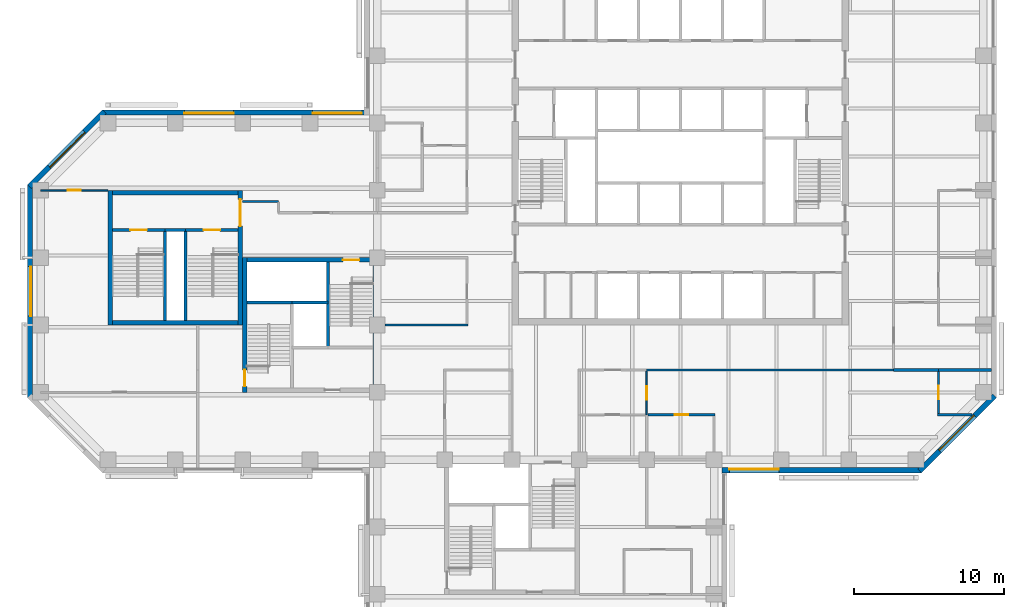
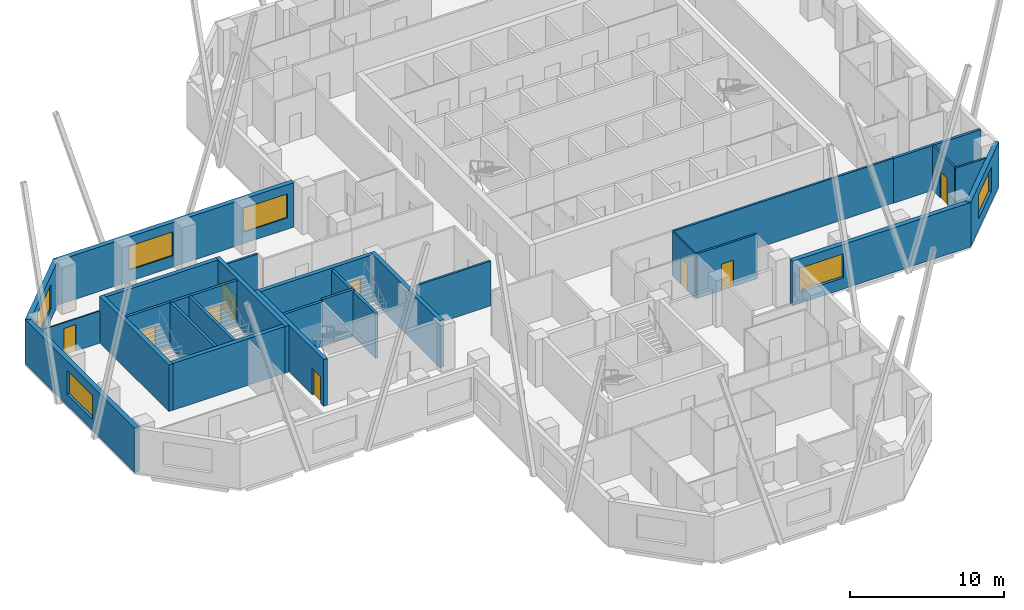
# One storey, part 5 of 11: 30 walls, 9 doors, 6 windows, 15 openings.
"""IFC4 building model written with IfcOpenShell, lengths in metres."""

import ifcopenshell
import ifcopenshell.guid

model = None  # the IFC model being written
_history = None  # IfcOwnerHistory: only IFC2X3 demands one
_inside = {}  # id of a spatial element -> (the spatial element, [elements in it])
_under = {}  # id of a project, library or spatial element -> (it, [spatial elements below it])
_declared = {}  # id of a project -> (the project, [libraries it declares])
_typed = {}  # id of a type object -> (the type object, [elements of that type])
_made_of = {}  # id of a material, layer set ... -> (it, [elements and type objects made of it])


def new_model(schema):
    """Start an empty IFC model of exactly this schema.

    Asked for "IFC4X3", IfcOpenShell would pick the latest addendum, in which some entities
    have other attributes; the version numbers below select the first issue.
    IFC2X3 requires an IfcOwnerHistory on every rooted entity: one is made here for all.
    """
    global model, _history
    if schema == "IFC4X3":
        model = ifcopenshell.file(schema_version=(4, 3, 0, 0))
    else:
        model = ifcopenshell.file(schema=schema)
    _inside.clear()
    _under.clear()
    _declared.clear()
    _typed.clear()
    _made_of.clear()
    _history = None
    if model.schema == "IFC2X3":
        org = make("IfcOrganization", Name="unknown")
        user = make(
            "IfcPersonAndOrganization",
            ThePerson=make("IfcPerson", FamilyName="unknown"),
            TheOrganization=org,
        )
        app = make(
            "IfcApplication",
            ApplicationDeveloper=org,
            Version="unknown",
            ApplicationFullName="unknown",
            ApplicationIdentifier="unknown",
        )
        _history = make(
            "IfcOwnerHistory",
            OwningUser=user,
            OwningApplication=app,
            ChangeAction="ADDED",
            CreationDate=0,
        )
    return model


def make(cls, **values):
    """One entity of the class cls with the attributes given. An attribute that is None is left unset."""
    return model.create_entity(
        cls, **{name: value for name, value in values.items() if value is not None}
    )


def rooted(cls, **values):
    """An entity with a GlobalId (a new one), such as an element, a storey or a relation."""
    return make(cls, GlobalId=ifcopenshell.guid.new(), OwnerHistory=_history, **values)


def si_unit(unit_type, name, prefix=None):
    """IfcSIUnit, for example si_unit("LENGTHUNIT", "METRE", prefix="MILLI")."""
    return make("IfcSIUnit", UnitType=unit_type, Prefix=prefix, Name=name)


def assignment(units):
    """IfcUnitAssignment: the units of a project."""
    return None if units is None else make("IfcUnitAssignment", Units=units)


def point(xyz):
    """IfcCartesianPoint."""
    return None if xyz is None else make("IfcCartesianPoint", Coordinates=xyz)


def direction(xyz):
    """IfcDirection."""
    return None if xyz is None else make("IfcDirection", DirectionRatios=xyz)


def frame(location, z_axis=None, x_axis=None):
    """IfcAxis2Placement3D, a coordinate frame: its origin and axes. An axis left out is left unset."""
    return make(
        "IfcAxis2Placement3D",
        Location=point(location),
        Axis=direction(z_axis),
        RefDirection=direction(x_axis),
    )


def frame_2d(location, x_axis=None):
    """IfcAxis2Placement2D, a coordinate frame in the plane: its origin and x axis."""
    return make(
        "IfcAxis2Placement2D", Location=point(location), RefDirection=direction(x_axis)
    )


def origin():
    """The frame at (0, 0, 0) with its axes left unset."""
    return frame((0.0, 0.0, 0.0))


def place(relative_to, where):
    """IfcLocalPlacement: puts the frame where relative to a parent placement (None: the world)."""
    return make(
        "IfcLocalPlacement", PlacementRelTo=relative_to, RelativePlacement=where
    )


def context(
    kind, dimensions, precision=None, world=None, true_north=None, identifier=None
):
    """IfcGeometricRepresentationContext, for example the 3D "Model" context."""
    return make(
        "IfcGeometricRepresentationContext",
        ContextIdentifier=identifier,
        ContextType=kind,
        CoordinateSpaceDimension=dimensions,
        Precision=precision,
        WorldCoordinateSystem=world,
        TrueNorth=true_north,
    )


def subcontext(parent, identifier, kind, view, scale=None):
    """IfcGeometricRepresentationSubContext, for example "Body" below "Model"."""
    return make(
        "IfcGeometricRepresentationSubContext",
        ContextIdentifier=identifier,
        ContextType=kind,
        ParentContext=parent,
        TargetScale=scale,
        TargetView=view,
    )


def project(units=None, contexts=None):
    """IfcProject with its units and contexts."""
    return rooted(
        "IfcProject",
        Name="project",
        RepresentationContexts=contexts,
        UnitsInContext=assignment(units),
    )


def spatial(cls, under=None, at=None, **own):
    """A site, building, storey or space (cls), placed at a placement, below another one or the project."""
    s = rooted(cls, ObjectPlacement=at, **own)
    if under is not None:
        _under.setdefault(under.id(), (under, []))[1].append(s)
    return s


def profile(cls, at=None, kind="AREA", **sizes):
    """A parametric profile (cls). Its sizes go by their IFC names, for example OverallWidth=200.0."""
    return make(cls, ProfileType=kind, Position=at, **sizes)


def rectangle(**sizes):
    """IfcRectangleProfileDef."""
    return profile("IfcRectangleProfileDef", **sizes)


def extrude(swept, where, along, depth):
    """IfcExtrudedAreaSolid: the profile swept, set in the frame where, extruded along a direction by depth."""
    return make(
        "IfcExtrudedAreaSolid",
        SweptArea=swept,
        Position=where,
        ExtrudedDirection=direction(along),
        Depth=depth,
    )


def shape(context_of_items, identifier, shape_type, items):
    """IfcShapeRepresentation: the items that make up one representation, for example the "Body"."""
    return make(
        "IfcShapeRepresentation",
        ContextOfItems=context_of_items,
        RepresentationIdentifier=identifier,
        RepresentationType=shape_type,
        Items=items,
    )


def material(Name=None, Category=None):
    """IfcMaterial."""
    return make("IfcMaterial", Name=Name, Category=Category)


def layer(
    of_material, thickness, ventilated=None, Name=None, Category=None, Priority=None
):
    """IfcMaterialLayer: one layer of a wall or slab, of a material (None: an air gap)."""
    return make(
        "IfcMaterialLayer",
        Material=of_material,
        LayerThickness=thickness,
        IsVentilated=ventilated,
        Name=Name,
        Category=Category,
        Priority=Priority,
    )


def layer_set(layers, Name=None):
    """IfcMaterialLayerSet."""
    return make("IfcMaterialLayerSet", MaterialLayers=layers, LayerSetName=Name)


def constituent(of_material, Name=None, Category=None, fraction=None):
    """IfcMaterialConstituent: one of the materials an element consists of."""
    return make(
        "IfcMaterialConstituent",
        Name=Name,
        Material=of_material,
        Fraction=fraction,
        Category=Category,
    )


def constituent_set(constituents=None, Name=None):
    """IfcMaterialConstituentSet."""
    return make(
        "IfcMaterialConstituentSet", Name=Name, MaterialConstituents=constituents
    )


def made_of(thing, what):
    """Note that an element or type object is made of a material, layer set ...; save() writes the relation."""
    if what is not None:
        _made_of.setdefault(what.id(), (what, []))[1].append(thing)
    return thing


def type_object(cls, material=None, **own):
    """A type object (cls), such as IfcWallType, which elements share."""
    return made_of(rooted(cls, **own), material)


def element(
    cls,
    number,
    at=None,
    inside=None,
    cuts=None,
    type_object=None,
    material=None,
    context=None,
    identifier="Body",
    shape_type=None,
    held_by="IfcProductDefinitionShape",
    body=None,
    shapes=None,
    **own,
):
    """One element of the class cls, such as IfcWall. Its Tag is "e" and its number.

    at: its placement. inside: the storey or other place that contains it. cuts: it is an
    opening in that element (IfcRelVoidsElement). A single representation is given by context,
    identifier, shape_type and body (its items); several are given by shapes. held_by: the class
    of the entity that holds the representations. save() writes the other relations.
    """
    e = rooted(cls, Tag="e%d" % number, ObjectPlacement=at, **own)
    if body is not None:
        shapes = [shape(context, identifier, shape_type, body)]
    if shapes is not None:
        e.Representation = make(held_by, Representations=shapes)
    if inside is not None:
        _inside.setdefault(inside.id(), (inside, []))[1].append(e)
    if cuts is not None:
        rooted(
            "IfcRelVoidsElement", RelatingBuildingElement=cuts, RelatedOpeningElement=e
        )
    if type_object is not None:
        _typed.setdefault(type_object.id(), (type_object, []))[1].append(e)
    return made_of(e, material)


def fill(opening, filler):
    """IfcRelFillsElement: the door or window that sits in an opening."""
    return rooted(
        "IfcRelFillsElement",
        RelatingOpeningElement=opening,
        RelatedBuildingElement=filler,
    )


def aggregate(whole, parts):
    """IfcRelAggregates: a whole, such as a stair, and the parts it consists of."""
    return rooted("IfcRelAggregates", RelatingObject=whole, RelatedObjects=parts)


def save(model, path):
    """Write the relations noted so far, then the file.

    IfcRelAggregates (storeys below a building ...), IfcRelContainedInSpatialStructure (elements
    in a storey), IfcRelDefinesByType, IfcRelAssociatesMaterial and IfcRelDeclares: one each for
    every whole, place, type object, material and project.
    """
    for whole, parts in _under.values():
        aggregate(whole, parts)
    for where, things in _inside.values():
        rooted(
            "IfcRelContainedInSpatialStructure",
            RelatedElements=things,
            RelatingStructure=where,
        )
    for kind, things in _typed.values():
        rooted("IfcRelDefinesByType", RelatedObjects=things, RelatingType=kind)
    for what, things in _made_of.values():
        rooted("IfcRelAssociatesMaterial", RelatedObjects=things, RelatingMaterial=what)
    for by, libraries in _declared.values():
        rooted("IfcRelDeclares", RelatingContext=by, RelatedDefinitions=libraries)
    model.write(path)


model = new_model("IFC4")

# Units and contexts
model_context = context("Model", 3, precision=1e-05, world=origin(), true_north=direction((0.0, 1.0)))
body_context = subcontext(model_context, "Body", "Model", "MODEL_VIEW")
ifc_project = project(units=[si_unit("LENGTHUNIT", "METRE"), si_unit("AREAUNIT", "SQUARE_METRE"), si_unit("VOLUMEUNIT", "CUBIC_METRE"), si_unit("PLANEANGLEUNIT", "RADIAN"), si_unit("MASSUNIT", "GRAM", prefix="KILO")], contexts=[model_context])

# Site, building, storey
site_placement = place(None, origin())
site = spatial("IfcSite", under=ifc_project, at=site_placement, CompositionType="ELEMENT")
building_placement = place(site_placement, origin())
building = spatial("IfcBuilding", under=site, at=building_placement, Name="Quoin Convention Tower", CompositionType="ELEMENT")
storey_placement = place(building_placement, frame((0.0, 0.0, 82.60009765625)))
storey = spatial("IfcBuildingStorey", under=building, at=storey_placement, Name="L21", CompositionType="ELEMENT", Elevation=82.60009765625)

# Wall, opening, door
ifc_material_1 = material(Name="Plasterboard")
ifc_layer_1 = layer(ifc_material_1, 0.012451171875, Name="Finish")
ifc_material_2 = material(Name="Steel stud framing", Category="steel")
ifc_layer_2 = layer(ifc_material_2, 0.125, Name="Structure")
ifc_layer_3 = layer(ifc_material_1, 0.012451171875, Name="Finish")
ifc_layer_set_1 = layer_set([ifc_layer_1, ifc_layer_2, ifc_layer_3], Name="Steel stud framing")
wall_type_1 = type_object("IfcWallType", Name="Acoustic partition 150", PredefinedType="PARTITIONING", material=ifc_layer_set_1)
wall_1_placement = place(storey_placement, frame((54.074951171875, 43.5, 0.0), z_axis=(0.0, 0.0, 1.0), x_axis=(1.0, 0.0, 0.0)))
wall_1 = element("IfcWall", 1, at=wall_1_placement, inside=storey, type_object=wall_type_1, Name="pw-L21-019", PredefinedType="PARTITIONING", context=body_context, shape_type="SweptSolid", body=[
    extrude(rectangle(XDim=4.5, YDim=0.14990234375, at=frame_2d((2.25, 0.0))), origin(), (0.0, 0.0, 1.0), 3.5498046875),
])
opening_1_placement = place(wall_1_placement, frame((1.800048828125, 0.0, 0.0)))
opening_1 = element("IfcOpeningElement", 2, at=opening_1_placement, cuts=wall_1, Name="Opening DOL1-10", PredefinedType="OPENING", context=body_context, shape_type="SweptSolid", body=[
    extrude(rectangle(XDim=0.89990234375, YDim=2.10009765625, at=frame_2d((0.449951171875, 1.050048828125))), frame((0.0, 0.0849609375, 0.0), z_axis=(0.0, -1.0, 0.0), x_axis=(1.0, 0.0, 0.0)), (0.0, 0.0, 1.0), 0.169921875),
])
ifc_material_3 = material(Name="Steel door leaf", Category="steel")
door_type_1 = type_object("IfcDoorType", Name="Office door 900 x 2100", OperationType="SINGLE_SWING_RIGHT", PredefinedType="DOOR", material=ifc_material_3)
door_1_placement = place(opening_1_placement, origin())
door_1 = element("IfcDoor", 3, at=door_1_placement, inside=storey, type_object=door_type_1, Name="dr-L21-27", OperationType="SINGLE_SWING_RIGHT", OverallHeight=2.10009765625, OverallWidth=0.89990234375, PredefinedType="DOOR", context=body_context, shape_type="SweptSolid", body=[
    extrude(rectangle(XDim=0.89990234375, YDim=2.10009765625, at=frame_2d((0.449951171875, 1.050048828125))), frame((0.0, 0.02490234375, 0.0), z_axis=(0.0, -1.0, 0.0), x_axis=(1.0, 0.0, 0.0)), (0.0, 0.0, 1.0), 0.050048828125),
])
fill(opening_1, door_1)

# Wall, opening, window
ifc_material_4 = material(Name="Brick masonry", Category="masonry")
ifc_layer_4 = layer(ifc_material_4, 0.35009765625)
ifc_layer_set_2 = layer_set([ifc_layer_4], Name="Brick masonry")
wall_type_2 = type_object("IfcWallType", Name="Brick facade wall", PredefinedType="STANDARD", material=ifc_layer_set_2)
wall_2_placement = place(storey_placement, frame((59.02490234375, 39.800048828125, 0.0), z_axis=(0.0, 0.0, 1.0), x_axis=(1.0, 0.0, 0.0)))
wall_2 = element("IfcWall", 4, at=wall_2_placement, inside=storey, type_object=wall_type_2, Name="fw-L21-58500_40500", PredefinedType="STANDARD", context=body_context, shape_type="SweptSolid", body=[
    extrude(rectangle(XDim=13.33740234375, YDim=0.35009765625, at=frame_2d((6.668701171875, 0.0))), origin(), (0.0, 0.0, 1.0), 3.52490234375),
])
opening_2_placement = place(wall_2_placement, frame((0.5, 0.0, 0.89990234375)))
opening_2 = element("IfcOpeningElement", 5, at=opening_2_placement, cuts=wall_2, Name="Opening W-02", PredefinedType="OPENING", context=body_context, shape_type="SweptSolid", body=[
    extrude(rectangle(XDim=3.300048828125, YDim=1.89990234375, at=frame_2d((1.64990234375, 0.949951171875))), frame((0.0, 0.18505859375, 0.0), z_axis=(0.0, -1.0, 0.0), x_axis=(1.0, 0.0, 0.0)), (0.0, 0.0, 1.0), 0.3701171875),
])
ifc_material_5 = material(Name="Aluminium", Category="aluminium")
ifc_constituent_1 = constituent(ifc_material_5, Name="Frame")
ifc_material_6 = material(Name="Insulated glass", Category="glass")
ifc_constituent_2 = constituent(ifc_material_6, Name="Glazing")
ifc_constituent_set = constituent_set(constituents=[ifc_constituent_1, ifc_constituent_2], Name="Aluminium")
window_type = type_object("IfcWindowType", Name="Office window", PartitioningType="DOUBLE_PANEL_VERTICAL", PredefinedType="WINDOW", material=ifc_constituent_set)
window_1_placement = place(opening_2_placement, origin())
window_1 = element("IfcWindow", 6, at=window_1_placement, inside=storey, type_object=window_type, Name="win-L21-60750_39800", OverallHeight=1.89990234375, OverallWidth=3.300048828125, PartitioningType="SINGLE_PANEL", PredefinedType="WINDOW", context=body_context, shape_type="SweptSolid", body=[
    extrude(rectangle(XDim=3.300048828125, YDim=1.89990234375, at=frame_2d((1.64990234375, 0.949951171875))), frame((0.0, 0.0849609375, 0.0), z_axis=(0.0, -1.0, 0.0), x_axis=(1.0, 0.0, 0.0)), (0.0, 0.0, 1.0), 0.06005859375),
])
fill(opening_2, window_1)

wall_3_placement = place(storey_placement, frame((72.23876953125, 39.748779296875, 0.0), z_axis=(0.0, 0.0, 1.0), x_axis=(0.707106781187, 0.707106781187, 0.0)))
wall_3 = element("IfcWall", 7, at=wall_3_placement, inside=storey, type_object=wall_type_2, Name="fw-L21-72000_40500", PredefinedType="STANDARD", context=body_context, shape_type="SweptSolid", body=[
    extrude(rectangle(XDim=7.088623046875, YDim=0.35009765625, at=frame_2d((3.54443359375, 0.0))), origin(), (0.0, 0.0, 1.0), 3.52490234375),
])
opening_3_placement = place(wall_3_placement, frame((1.894287109375, 0.0, 0.89990234375)))
opening_3 = element("IfcOpeningElement", 8, at=opening_3_placement, cuts=wall_3, Name="Opening W-02", PredefinedType="OPENING", context=body_context, shape_type="SweptSolid", body=[
    extrude(rectangle(XDim=3.300048828125, YDim=1.89990234375, at=frame_2d((1.64990234375, 0.949951171875))), frame((0.0, 0.18505859375, 0.0), z_axis=(0.0, -1.0, 0.0), x_axis=(1.0, 0.0, 0.0)), (0.0, 0.0, 1.0), 0.3701171875),
])
window_2_placement = place(opening_3_placement, origin())
window_2 = element("IfcWindow", 9, at=window_2_placement, inside=storey, type_object=window_type, Name="win-L21-74745_42255", OverallHeight=1.89990234375, OverallWidth=3.300048828125, PartitioningType="SINGLE_PANEL", PredefinedType="WINDOW", context=body_context, shape_type="SweptSolid", body=[
    extrude(rectangle(XDim=3.300048828125, YDim=1.89990234375, at=frame_2d((1.64990234375, 0.949951171875))), frame((0.0, 0.0849609375, 0.0), z_axis=(0.0, -1.0, 0.0), x_axis=(1.0, 0.0, 0.0)), (0.0, 0.0, 1.0), 0.06005859375),
])
fill(opening_3, window_2)

# Wall, openings, windows
wall_4_placement = place(storey_placement, frame((35.47509765625, 63.699951171875, 0.0), z_axis=(0.0, 0.0, 1.0), x_axis=(-1.0, 0.0, 0.0)))
wall_4 = element("IfcWall", 10, at=wall_4_placement, inside=storey, type_object=wall_type_2, Name="fw-L21-36000_63000", PredefinedType="STANDARD", context=body_context, shape_type="SweptSolid", body=[
    extrude(rectangle(XDim=17.83740234375, YDim=0.35009765625, at=frame_2d((8.918701171875, 0.0))), origin(), (0.0, 0.0, 1.0), 3.52490234375),
])
opening_4_placement = place(wall_4_placement, frame((0.5, 0.0, 0.89990234375)))
opening_4 = element("IfcOpeningElement", 11, at=opening_4_placement, cuts=wall_4, Name="Opening W-02", PredefinedType="OPENING", context=body_context, shape_type="SweptSolid", body=[
    extrude(rectangle(XDim=3.300048828125, YDim=1.89990234375, at=frame_2d((1.64990234375, 0.949951171875))), frame((0.0, 0.18505859375, 0.0), z_axis=(0.0, -1.0, 0.0), x_axis=(1.0, 0.0, 0.0)), (0.0, 0.0, 1.0), 0.3701171875),
])
opening_5_placement = place(wall_4_placement, frame((9.074951171875, 0.0, 0.89990234375)))
opening_5 = element("IfcOpeningElement", 12, at=opening_5_placement, cuts=wall_4, Name="Opening W-02", PredefinedType="OPENING", context=body_context, shape_type="SweptSolid", body=[
    extrude(rectangle(XDim=3.300048828125, YDim=1.89990234375, at=frame_2d((1.64990234375, 0.949951171875))), frame((0.0, 0.18505859375, 0.0), z_axis=(0.0, -1.0, 0.0), x_axis=(1.0, 0.0, 0.0)), (0.0, 0.0, 1.0), 0.3701171875),
])
window_3_placement = place(opening_4_placement, origin())
window_3 = element("IfcWindow", 13, at=window_3_placement, inside=storey, type_object=window_type, Name="win-L21-33750_63700", OverallHeight=1.89990234375, OverallWidth=3.300048828125, PartitioningType="SINGLE_PANEL", PredefinedType="WINDOW", context=body_context, shape_type="SweptSolid", body=[
    extrude(rectangle(XDim=3.300048828125, YDim=1.89990234375, at=frame_2d((1.64990234375, 0.949951171875))), frame((0.0, 0.0849609375, 0.0), z_axis=(0.0, -1.0, 0.0), x_axis=(1.0, 0.0, 0.0)), (0.0, 0.0, 1.0), 0.06005859375),
])
fill(opening_4, window_3)
window_4_placement = place(opening_5_placement, origin())
window_4 = element("IfcWindow", 14, at=window_4_placement, inside=storey, type_object=window_type, Name="win-L21-24750_63700", OverallHeight=1.89990234375, OverallWidth=3.300048828125, PartitioningType="SINGLE_PANEL", PredefinedType="WINDOW", context=body_context, shape_type="SweptSolid", body=[
    extrude(rectangle(XDim=3.300048828125, YDim=1.89990234375, at=frame_2d((1.64990234375, 0.949951171875))), frame((0.0, 0.0849609375, 0.0), z_axis=(0.0, -1.0, 0.0), x_axis=(1.0, 0.0, 0.0)), (0.0, 0.0, 1.0), 0.06005859375),
])
fill(opening_5, window_4)

# Wall, opening, window
wall_5_placement = place(storey_placement, frame((17.76123046875, 63.751220703125, 0.0), z_axis=(0.0, 0.0, 1.0), x_axis=(-0.707106781187, -0.707106781187, 0.0)))
wall_5 = element("IfcWall", 15, at=wall_5_placement, inside=storey, type_object=wall_type_2, Name="fw-L21-18000_63000", PredefinedType="STANDARD", context=body_context, shape_type="SweptSolid", body=[
    extrude(rectangle(XDim=7.088623046875, YDim=0.35009765625, at=frame_2d((3.54443359375, 0.0))), origin(), (0.0, 0.0, 1.0), 3.52490234375),
])
opening_6_placement = place(wall_5_placement, frame((1.894287109375, 0.0, 0.89990234375)))
opening_6 = element("IfcOpeningElement", 16, at=opening_6_placement, cuts=wall_5, Name="Opening W-02", PredefinedType="OPENING", context=body_context, shape_type="SweptSolid", body=[
    extrude(rectangle(XDim=3.300048828125, YDim=1.89990234375, at=frame_2d((1.64990234375, 0.949951171875))), frame((0.0, 0.18505859375, 0.0), z_axis=(0.0, -1.0, 0.0), x_axis=(1.0, 0.0, 0.0)), (0.0, 0.0, 1.0), 0.3701171875),
])
window_5_placement = place(opening_6_placement, origin())
window_5 = element("IfcWindow", 17, at=window_5_placement, inside=storey, type_object=window_type, Name="win-L21-15255_61245", OverallHeight=1.89990234375, OverallWidth=3.300048828125, PartitioningType="SINGLE_PANEL", PredefinedType="WINDOW", context=body_context, shape_type="SweptSolid", body=[
    extrude(rectangle(XDim=3.300048828125, YDim=1.89990234375, at=frame_2d((1.64990234375, 0.949951171875))), frame((0.0, 0.0849609375, 0.0), z_axis=(0.0, -1.0, 0.0), x_axis=(1.0, 0.0, 0.0)), (0.0, 0.0, 1.0), 0.06005859375),
])
fill(opening_6, window_5)

wall_6_placement = place(storey_placement, frame((12.800048828125, 58.8623046875, 0.0), z_axis=(0.0, 0.0, 1.0), x_axis=(0.0, -1.0, 0.0)))
wall_6 = element("IfcWall", 18, at=wall_6_placement, inside=storey, type_object=wall_type_2, Name="fw-L21-13500_58500", PredefinedType="STANDARD", context=body_context, shape_type="SweptSolid", body=[
    extrude(rectangle(XDim=14.224609375, YDim=0.35009765625, at=frame_2d((7.1123046875, 0.0))), origin(), (0.0, 0.0, 1.0), 3.52490234375),
])
opening_7_placement = place(wall_6_placement, frame((5.46240234375, 0.0, 0.89990234375)))
opening_7 = element("IfcOpeningElement", 19, at=opening_7_placement, cuts=wall_6, Name="Opening W-02", PredefinedType="OPENING", context=body_context, shape_type="SweptSolid", body=[
    extrude(rectangle(XDim=3.300048828125, YDim=1.89990234375, at=frame_2d((1.64990234375, 0.949951171875))), frame((0.0, 0.18505859375, 0.0), z_axis=(0.0, -1.0, 0.0), x_axis=(1.0, 0.0, 0.0)), (0.0, 0.0, 1.0), 0.3701171875),
])
window_6_placement = place(opening_7_placement, origin())
window_6 = element("IfcWindow", 20, at=window_6_placement, inside=storey, type_object=window_type, Name="win-L21-12800_51750", OverallHeight=1.89990234375, OverallWidth=3.300048828125, PartitioningType="SINGLE_PANEL", PredefinedType="WINDOW", context=body_context, shape_type="SweptSolid", body=[
    extrude(rectangle(XDim=3.300048828125, YDim=1.89990234375, at=frame_2d((1.64990234375, 0.949951171875))), frame((0.0, 0.0849609375, 0.0), z_axis=(0.0, -1.0, 0.0), x_axis=(1.0, 0.0, 0.0)), (0.0, 0.0, 1.0), 0.06005859375),
])
fill(opening_7, window_6)

# Walls
ifc_material_7 = material(Name="Concrete C50", Category="concrete")
ifc_layer_5 = layer(ifc_material_7, 0.199951171875)
ifc_layer_set_3 = layer_set([ifc_layer_5], Name="Concrete C50")
wall_type_3 = type_object("IfcWallType", Name="Core shaft wall", PredefinedType="SOLIDWALL", material=ifc_layer_set_3)
wall_7_placement = place(storey_placement, frame((27.300048828125, 51.0, 0.0), z_axis=(0.0, 0.0, 1.0), x_axis=(1.0, 0.0, 0.0)))
element("IfcWall", 21, at=wall_7_placement, inside=storey, type_object=wall_type_3, Name="cr-P2-L21-h6000_300", PredefinedType="SOLIDWALL", context=body_context, shape_type="SweptSolid", body=[
    extrude(rectangle(XDim=3.0, YDim=0.199951171875, at=frame_2d((1.5, 0.0))), origin(), (0.0, 0.0, 1.0), 3.5498046875),
])
wall_8_placement = place(storey_placement, frame((32.699951171875, 48.0, 0.0), z_axis=(0.0, 0.0, 1.0), x_axis=(0.0, 1.0, 0.0)))
element("IfcWall", 22, at=wall_8_placement, inside=storey, type_object=wall_type_3, Name="cr-P2-L21-v5700_3000", PredefinedType="SOLIDWALL", context=body_context, shape_type="SweptSolid", body=[
    extrude(rectangle(XDim=5.699951171875, YDim=0.199951171875, at=frame_2d((2.85009765625, 0.0))), origin(), (0.0, 0.0, 1.0), 3.5498046875),
])
wall_9_placement = place(storey_placement, frame((21.800048828125, 55.85009765625, 0.0), z_axis=(0.0, 0.0, 1.0), x_axis=(1.0, 0.0, 0.0)))
element("IfcWall", 23, at=wall_9_placement, inside=storey, type_object=wall_type_3, Name="cr-P6-L21-h6350_3800", PredefinedType="SOLIDWALL", context=body_context, shape_type="SweptSolid", body=[
    extrude(rectangle(XDim=1.39990234375, YDim=0.199951171875, at=frame_2d((0.699951171875, 0.0))), origin(), (0.0, 0.0, 1.0), 3.5498046875),
])

# Wall, opening, door
wall_10_placement = place(storey_placement, frame((18.300048828125, 55.85009765625, 0.0), z_axis=(0.0, 0.0, 1.0), x_axis=(1.0, 0.0, 0.0)))
wall_10 = element("IfcWall", 24, at=wall_10_placement, inside=storey, type_object=wall_type_3, Name="cr-P6-L21-h6350_300", PredefinedType="SOLIDWALL", context=body_context, shape_type="SweptSolid", body=[
    extrude(rectangle(XDim=3.5, YDim=0.199951171875, at=frame_2d((1.75, 0.0))), origin(), (0.0, 0.0, 1.0), 3.5498046875),
])
opening_8_placement = place(wall_10_placement, frame((1.199951171875, 0.0, 0.0)))
opening_8 = element("IfcOpeningElement", 25, at=opening_8_placement, cuts=wall_10, Name="Opening SD11", PredefinedType="OPENING", context=body_context, shape_type="SweptSolid", body=[
    extrude(rectangle(XDim=1.10009765625, YDim=2.10009765625, at=frame_2d((0.550048828125, 1.050048828125))), frame((0.0, 0.10986328125, 0.0), z_axis=(0.0, -1.0, 0.0), x_axis=(1.0, 0.0, 0.0)), (0.0, 0.0, 1.0), 0.219970703125),
])
door_type_2 = type_object("IfcDoorType", Name="Stair door 1100 x 2100", OperationType="SINGLE_SWING_RIGHT", PredefinedType="DOOR", material=ifc_material_3)
door_2_placement = place(opening_8_placement, origin())
door_2 = element("IfcDoor", 26, at=door_2_placement, inside=storey, type_object=door_type_2, Name="cd-P6-L21-SA-R2-SD11", OperationType="SINGLE_SWING_RIGHT", OverallHeight=2.10009765625, OverallWidth=1.10009765625, PredefinedType="DOOR", context=body_context, shape_type="SweptSolid", body=[
    extrude(rectangle(XDim=1.10009765625, YDim=2.10009765625, at=frame_2d((0.550048828125, 1.050048828125))), frame((0.0, 0.02490234375, 0.0), z_axis=(0.0, -1.0, 0.0), x_axis=(1.0, 0.0, 0.0)), (0.0, 0.0, 1.0), 0.050048828125),
])
fill(opening_8, door_2)

wall_11_placement = place(storey_placement, frame((23.199951171875, 55.85009765625, 0.0), z_axis=(0.0, 0.0, 1.0), x_axis=(1.0, 0.0, 0.0)))
wall_11 = element("IfcWall", 27, at=wall_11_placement, inside=storey, type_object=wall_type_3, Name="cr-P6-L21-h6350_5200", PredefinedType="SOLIDWALL", context=body_context, shape_type="SweptSolid", body=[
    extrude(rectangle(XDim=3.5, YDim=0.199951171875, at=frame_2d((1.75, 0.0))), origin(), (0.0, 0.0, 1.0), 3.5498046875),
])
opening_9_placement = place(wall_11_placement, frame((1.199951171875, 0.0, 0.0)))
opening_9 = element("IfcOpeningElement", 28, at=opening_9_placement, cuts=wall_11, Name="Opening SD12", PredefinedType="OPENING", context=body_context, shape_type="SweptSolid", body=[
    extrude(rectangle(XDim=1.10009765625, YDim=2.10009765625, at=frame_2d((0.550048828125, 1.050048828125))), frame((0.0, 0.10986328125, 0.0), z_axis=(0.0, -1.0, 0.0), x_axis=(1.0, 0.0, 0.0)), (0.0, 0.0, 1.0), 0.219970703125),
])
door_3_placement = place(opening_9_placement, origin())
door_3 = element("IfcDoor", 29, at=door_3_placement, inside=storey, type_object=door_type_2, Name="cd-P6-L21-SB-R2-SD12", OperationType="SINGLE_SWING_RIGHT", OverallHeight=2.10009765625, OverallWidth=1.10009765625, PredefinedType="DOOR", context=body_context, shape_type="SweptSolid", body=[
    extrude(rectangle(XDim=1.10009765625, YDim=2.10009765625, at=frame_2d((0.550048828125, 1.050048828125))), frame((0.0, 0.02490234375, 0.0), z_axis=(0.0, -1.0, 0.0), x_axis=(1.0, 0.0, 0.0)), (0.0, 0.0, 1.0), 0.050048828125),
])
fill(opening_9, door_3)

# Walls
for number, where, z_axis, x_axis, name in (
    (30, (21.800048828125, 49.800048828125, 0.0), (0.0, 0.0, 1.0), (0.0, 1.0, 0.0), "cr-P6-L21-v3800_300"),
    (31, (23.199951171875, 49.800048828125, 0.0), (0.0, 0.0, 1.0), (0.0, 1.0, 0.0), "cr-P6-L21-v5200_300"),
):
    element("IfcWall", number, at=place(storey_placement, frame(where, z_axis=z_axis, x_axis=x_axis)), inside=storey, type_object=wall_type_3, Name=name, PredefinedType="SOLIDWALL", context=body_context, shape_type="SweptSolid", body=[
        extrude(rectangle(XDim=6.050048828125, YDim=0.199951171875, at=frame_2d((3.02490234375, 0.0))), origin(), (0.0, 0.0, 1.0), 3.5498046875),
    ])
ifc_layer_6 = layer(ifc_material_7, 0.199951171875)
ifc_layer_set_4 = layer_set([ifc_layer_6], Name="Concrete C50")
wall_type_4 = type_object("IfcWallType", Name="Core shaft wall to the floor level over", PredefinedType="SOLIDWALL", material=ifc_layer_set_4)
wall_12_placement = place(storey_placement, frame((30.300048828125, 51.0, 0.0), z_axis=(0.0, 0.0, 1.0), x_axis=(1.0, 0.0, 0.0)))
element("IfcWall", 32, at=wall_12_placement, inside=storey, type_object=wall_type_4, Name="cr-P2-L21-h6000_3300", PredefinedType="SOLIDWALL", context=body_context, shape_type="SweptSolid", body=[
    extrude(rectangle(XDim=2.39990234375, YDim=0.199951171875, at=frame_2d((1.199951171875, 0.0))), origin(), (0.0, 0.0, 1.0), 3.699951171875),
])
ifc_layer_7 = layer(ifc_material_1, 0.012451171875, Name="Finish")
ifc_layer_8 = layer(ifc_material_2, 0.125, Name="Structure")
ifc_layer_9 = layer(ifc_material_1, 0.012451171875, Name="Finish")
ifc_layer_set_5 = layer_set([ifc_layer_7, ifc_layer_8, ifc_layer_9], Name="Steel stud framing")
wall_type_5 = type_object("IfcWallType", Name="Corridor wall 150", PredefinedType="PARTITIONING", material=ifc_layer_set_5)
wall_13_placement = place(storey_placement, frame((54.0, 46.5, 0.0), z_axis=(0.0, 0.0, 1.0), x_axis=(1.0, 0.0, 0.0)))
element("IfcWall", 33, at=wall_13_placement, inside=storey, type_object=wall_type_5, Name="pw-L21-026", PredefinedType="PARTITIONING", context=body_context, shape_type="SweptSolid", body=[
    extrude(rectangle(XDim=16.5, YDim=0.14990234375, at=frame_2d((8.25, 0.0))), origin(), (0.0, 0.0, 1.0), 3.5498046875),
])
wall_14_placement = place(storey_placement, frame((36.52490234375, 49.5, 0.0), z_axis=(0.0, 0.0, 1.0), x_axis=(1.0, 0.0, 0.0)))
element("IfcWall", 34, at=wall_14_placement, inside=storey, type_object=wall_type_5, Name="pw-L21-030", PredefinedType="PARTITIONING", context=body_context, shape_type="SweptSolid", body=[
    extrude(rectangle(XDim=5.550048828125, YDim=0.14990234375, at=frame_2d((2.77490234375, 0.0))), origin(), (0.0, 0.0, 1.0), 3.5498046875),
])
wall_15_placement = place(storey_placement, frame((27.0, 57.75, 0.0), z_axis=(0.0, 0.0, 1.0), x_axis=(1.0, 0.0, 0.0)))
element("IfcWall", 35, at=wall_15_placement, inside=storey, type_object=wall_type_5, Name="pw-L21-w03", PredefinedType="PARTITIONING", context=body_context, shape_type="SweptSolid", body=[
    extrude(rectangle(XDim=2.39990234375, YDim=0.14990234375, at=frame_2d((1.199951171875, 0.0))), origin(), (0.0, 0.0, 1.0), 3.5498046875),
])

# Wall, opening, door
ifc_material_8 = material(Name="Concrete C65", Category="concrete")
ifc_layer_10 = layer(ifc_material_8, 0.300048828125)
ifc_layer_set_6 = layer_set([ifc_layer_10], Name="Concrete C65")
wall_type_6 = type_object("IfcWallType", Name="RC CORE WALL 300 C65", PredefinedType="SHEAR", material=ifc_layer_set_6)
wall_16_placement = place(storey_placement, frame((27.300048828125, 53.85009765625, 0.0), z_axis=(0.0, 0.0, 1.0), x_axis=(1.0, 0.0, 0.0)))
wall_16 = element("IfcWall", 36, at=wall_16_placement, inside=storey, type_object=wall_type_6, Name="cwl-P2-L21-N", PredefinedType="SHEAR", context=body_context, shape_type="SweptSolid", body=[
    extrude(rectangle(XDim=8.39990234375, YDim=0.300048828125, at=frame_2d((4.199951171875, 0.0))), origin(), (0.0, 0.0, 1.0), 3.699951171875),
])
opening_10_placement = place(wall_16_placement, frame((6.39990234375, 0.0, 0.0)))
opening_10 = element("IfcOpeningElement", 37, at=opening_10_placement, cuts=wall_16, Name="Opening SD4", PredefinedType="OPENING", context=body_context, shape_type="SweptSolid", body=[
    extrude(rectangle(XDim=1.10009765625, YDim=2.10009765625, at=frame_2d((0.550048828125, 1.050048828125))), frame((0.0, 0.159912109375, 0.0), z_axis=(0.0, -1.0, 0.0), x_axis=(1.0, 0.0, 0.0)), (0.0, 0.0, 1.0), 0.320068359375),
])
door_4_placement = place(opening_10_placement, frame((1.10009765625, 0.0, 0.0), z_axis=(0.0, 0.0, 1.0), x_axis=(-1.0, 0.0, 0.0)))
door_4 = element("IfcDoor", 38, at=door_4_placement, inside=storey, type_object=door_type_2, Name="cd-P2-L21-SB-N", OperationType="SINGLE_SWING_LEFT", OverallHeight=2.10009765625, OverallWidth=1.10009765625, PredefinedType="DOOR", context=body_context, shape_type="SweptSolid", body=[
    extrude(rectangle(XDim=1.10009765625, YDim=2.10009765625, at=frame_2d((0.550048828125, 1.050048828125))), frame((0.0, 0.02490234375, 0.0), z_axis=(0.0, -1.0, 0.0), x_axis=(1.0, 0.0, 0.0)), (0.0, 0.0, 1.0), 0.050048828125),
])
fill(opening_10, door_4)

wall_17_placement = place(storey_placement, frame((27.14990234375, 45.0, 0.0), z_axis=(0.0, 0.0, 1.0), x_axis=(0.0, 1.0, 0.0)))
wall_17 = element("IfcWall", 39, at=wall_17_placement, inside=storey, type_object=wall_type_6, Name="cwl-P2-L21-W", PredefinedType="SHEAR", context=body_context, shape_type="SweptSolid", body=[
    extrude(rectangle(XDim=9.0, YDim=0.300048828125, at=frame_2d((4.5, 0.0))), origin(), (0.0, 0.0, 1.0), 3.699951171875),
])
opening_11_placement = place(wall_17_placement, frame((0.39990234375, 0.0, 0.0)))
opening_11 = element("IfcOpeningElement", 40, at=opening_11_placement, cuts=wall_17, Name="Opening SD3", PredefinedType="OPENING", context=body_context, shape_type="SweptSolid", body=[
    extrude(rectangle(XDim=1.10009765625, YDim=2.10009765625, at=frame_2d((0.550048828125, 1.050048828125))), frame((0.0, 0.159912109375, 0.0), z_axis=(0.0, -1.0, 0.0), x_axis=(1.0, 0.0, 0.0)), (0.0, 0.0, 1.0), 0.320068359375),
])
door_5_placement = place(opening_11_placement, frame((1.10009765625, 0.0, 0.0), z_axis=(0.0, 0.0, 1.0), x_axis=(-1.0, 0.0, 0.0)))
door_5 = element("IfcDoor", 41, at=door_5_placement, inside=storey, type_object=door_type_2, Name="cd-P2-L21-SA-W", OperationType="SINGLE_SWING_RIGHT", OverallHeight=2.10009765625, OverallWidth=1.10009765625, PredefinedType="DOOR", context=body_context, shape_type="SweptSolid", body=[
    extrude(rectangle(XDim=1.10009765625, YDim=2.10009765625, at=frame_2d((0.550048828125, 1.050048828125))), frame((0.0, 0.02490234375, 0.0), z_axis=(0.0, -1.0, 0.0), x_axis=(1.0, 0.0, 0.0)), (0.0, 0.0, 1.0), 0.050048828125),
])
fill(opening_11, door_5)

# Walls
wall_18_placement = place(storey_placement, frame((35.85009765625, 45.0, 0.0), z_axis=(0.0, 0.0, 1.0), x_axis=(0.0, 1.0, 0.0)))
element("IfcWall", 42, at=wall_18_placement, inside=storey, type_object=wall_type_6, Name="cwl-P2-L21-E", PredefinedType="SHEAR", context=body_context, shape_type="SweptSolid", body=[
    extrude(rectangle(XDim=9.0, YDim=0.300048828125, at=frame_2d((4.5, 0.0))), origin(), (0.0, 0.0, 1.0), 3.699951171875),
])
for number, where, z_axis, x_axis, name in (
    (43, (18.300048828125, 49.64990234375, 0.0), (0.0, 0.0, 1.0), (1.0, 0.0, 0.0), "cwl-P6-L21-S"),
    (44, (18.300048828125, 58.35009765625, 0.0), (0.0, 0.0, 1.0), (1.0, 0.0, 0.0), "cwl-P6-L21-N"),
):
    element("IfcWall", number, at=place(storey_placement, frame(where, z_axis=z_axis, x_axis=x_axis)), inside=storey, type_object=wall_type_6, Name=name, PredefinedType="SHEAR", context=body_context, shape_type="SweptSolid", body=[
        extrude(rectangle(XDim=8.39990234375, YDim=0.300048828125, at=frame_2d((4.199951171875, 0.0))), origin(), (0.0, 0.0, 1.0), 3.699951171875),
    ])
wall_19_placement = place(storey_placement, frame((18.14990234375, 49.5, 0.0), z_axis=(0.0, 0.0, 1.0), x_axis=(0.0, 1.0, 0.0)))
element("IfcWall", 45, at=wall_19_placement, inside=storey, type_object=wall_type_6, Name="cwl-P6-L21-W", PredefinedType="SHEAR", context=body_context, shape_type="SweptSolid", body=[
    extrude(rectangle(XDim=9.0, YDim=0.300048828125, at=frame_2d((4.5, 0.0))), origin(), (0.0, 0.0, 1.0), 3.699951171875),
])

# Wall, opening, door
wall_20_placement = place(storey_placement, frame((26.85009765625, 49.5, 0.0), z_axis=(0.0, 0.0, 1.0), x_axis=(0.0, 1.0, 0.0)))
wall_20 = element("IfcWall", 46, at=wall_20_placement, inside=storey, type_object=wall_type_6, Name="cwl-P6-L21-E", PredefinedType="SHEAR", context=body_context, shape_type="SweptSolid", body=[
    extrude(rectangle(XDim=9.0, YDim=0.300048828125, at=frame_2d((4.5, 0.0))), origin(), (0.0, 0.0, 1.0), 3.699951171875),
])
opening_12_placement = place(wall_20_placement, frame((6.60009765625, 0.0, 0.0)))
opening_12 = element("IfcOpeningElement", 47, at=opening_12_placement, cuts=wall_20, Name="Opening DCV1-54", PredefinedType="OPENING", context=body_context, shape_type="SweptSolid", body=[
    extrude(rectangle(XDim=1.800048828125, YDim=2.10009765625, at=frame_2d((0.89990234375, 1.050048828125))), frame((0.0, 0.159912109375, 0.0), z_axis=(0.0, -1.0, 0.0), x_axis=(1.0, 0.0, 0.0)), (0.0, 0.0, 1.0), 0.320068359375),
])
door_type_3 = type_object("IfcDoorType", Name="Goods lobby door 1800 x 2100", OperationType="SINGLE_SWING_LEFT", PredefinedType="DOOR", material=ifc_material_3)
door_6_placement = place(opening_12_placement, origin())
door_6 = element("IfcDoor", 48, at=door_6_placement, inside=storey, type_object=door_type_3, Name="cd-P6-L21-R2-E", OperationType="SINGLE_SWING_LEFT", OverallHeight=2.10009765625, OverallWidth=1.800048828125, PredefinedType="DOOR", context=body_context, shape_type="SweptSolid", body=[
    extrude(rectangle(XDim=1.800048828125, YDim=2.10009765625, at=frame_2d((0.89990234375, 1.050048828125))), frame((0.0, 0.02490234375, 0.0), z_axis=(0.0, -1.0, 0.0), x_axis=(1.0, 0.0, 0.0)), (0.0, 0.0, 1.0), 0.050048828125),
])
fill(opening_12, door_6)

ifc_layer_11 = layer(ifc_material_1, 0.012451171875, Name="Finish")
ifc_layer_12 = layer(ifc_material_2, 0.074951171875, Name="Structure")
ifc_layer_13 = layer(ifc_material_1, 0.012451171875, Name="Finish")
ifc_layer_set_7 = layer_set([ifc_layer_11, ifc_layer_12, ifc_layer_13], Name="Steel stud framing")
wall_type_7 = type_object("IfcWallType", Name="Stud partition 100", PredefinedType="PARTITIONING", material=ifc_layer_set_7)
wall_21_placement = place(storey_placement, frame((54.0, 43.5, 0.0), z_axis=(0.0, 0.0, 1.0), x_axis=(0.0, 1.0, 0.0)))
wall_21 = element("IfcWall", 49, at=wall_21_placement, inside=storey, type_object=wall_type_7, Name="pw-L21-081", PredefinedType="PARTITIONING", context=body_context, shape_type="SweptSolid", body=[
    extrude(rectangle(XDim=2.925048828125, YDim=0.10009765625, at=frame_2d((1.46240234375, 0.0))), origin(), (0.0, 0.0, 1.0), 3.5498046875),
])
opening_13_placement = place(wall_21_placement, frame((1.0, 0.0, 0.0)))
opening_13 = element("IfcOpeningElement", 50, at=opening_13_placement, cuts=wall_21, Name="Opening DOL1-25", PredefinedType="OPENING", context=body_context, shape_type="SweptSolid", body=[
    extrude(rectangle(XDim=0.89990234375, YDim=2.10009765625, at=frame_2d((0.449951171875, 1.050048828125))), frame((0.0, 0.06005859375, 0.0), z_axis=(0.0, -1.0, 0.0), x_axis=(1.0, 0.0, 0.0)), (0.0, 0.0, 1.0), 0.1201171875),
])
door_7_placement = place(opening_13_placement, frame((0.89990234375, 0.0, 0.0), z_axis=(0.0, 0.0, 1.0), x_axis=(-1.0, 0.0, 0.0)))
door_7 = element("IfcDoor", 51, at=door_7_placement, inside=storey, type_object=door_type_1, Name="dr-L21-24", OperationType="SINGLE_SWING_RIGHT", OverallHeight=2.10009765625, OverallWidth=0.89990234375, PredefinedType="DOOR", context=body_context, shape_type="SweptSolid", body=[
    extrude(rectangle(XDim=0.89990234375, YDim=2.10009765625, at=frame_2d((0.449951171875, 1.050048828125))), frame((0.0, 0.02490234375, 0.0), z_axis=(0.0, -1.0, 0.0), x_axis=(1.0, 0.0, 0.0)), (0.0, 0.0, 1.0), 0.050048828125),
])
fill(opening_13, door_7)

ifc_layer_14 = layer(ifc_material_1, 0.012451171875, Name="Finish")
ifc_layer_15 = layer(ifc_material_2, 0.074951171875, Name="Structure")
ifc_layer_16 = layer(ifc_material_1, 0.012451171875, Name="Finish")
ifc_layer_set_8 = layer_set([ifc_layer_14, ifc_layer_15, ifc_layer_16], Name="Steel stud framing")
wall_type_8 = type_object("IfcWallType", Name="Stud partition 100 under beam 1000", PredefinedType="PARTITIONING", material=ifc_layer_set_8)
wall_22_placement = place(storey_placement, frame((13.5, 58.5, 0.0), z_axis=(0.0, 0.0, 1.0), x_axis=(1.0, 0.0, 0.0)))
wall_22 = element("IfcWall", 52, at=wall_22_placement, inside=storey, type_object=wall_type_8, Name="pw-L21-w01", PredefinedType="PARTITIONING", context=body_context, shape_type="SweptSolid", body=[
    extrude(rectangle(XDim=4.5, YDim=0.10009765625, at=frame_2d((2.25, 0.0))), origin(), (0.0, 0.0, 1.0), 2.5498046875),
])
opening_14_placement = place(wall_22_placement, frame((1.800048828125, 0.0, 0.0)))
opening_14 = element("IfcOpeningElement", 53, at=opening_14_placement, cuts=wall_22, Name="Opening DOL1-35", PredefinedType="OPENING", context=body_context, shape_type="SweptSolid", body=[
    extrude(rectangle(XDim=0.89990234375, YDim=2.10009765625, at=frame_2d((0.449951171875, 1.050048828125))), frame((0.0, 0.06005859375, 0.0), z_axis=(0.0, -1.0, 0.0), x_axis=(1.0, 0.0, 0.0)), (0.0, 0.0, 1.0), 0.1201171875),
])
door_8_placement = place(opening_14_placement, origin())
door_8 = element("IfcDoor", 54, at=door_8_placement, inside=storey, type_object=door_type_1, Name="dr-L21-w02", OperationType="SINGLE_SWING_RIGHT", OverallHeight=2.10009765625, OverallWidth=0.89990234375, PredefinedType="DOOR", context=body_context, shape_type="SweptSolid", body=[
    extrude(rectangle(XDim=0.89990234375, YDim=2.10009765625, at=frame_2d((0.449951171875, 1.050048828125))), frame((0.0, 0.02490234375, 0.0), z_axis=(0.0, -1.0, 0.0), x_axis=(1.0, 0.0, 0.0)), (0.0, 0.0, 1.0), 0.050048828125),
])
fill(opening_14, door_8)

# Walls
ifc_layer_17 = layer(ifc_material_1, 0.012451171875, Name="Finish")
ifc_layer_18 = layer(ifc_material_2, 0.175048828125, Name="Structure")
ifc_layer_19 = layer(ifc_material_1, 0.012451171875, Name="Finish")
ifc_layer_set_9 = layer_set([ifc_layer_17, ifc_layer_18, ifc_layer_19], Name="Steel stud framing")
wall_type_9 = type_object("IfcWallType", Name="Tenancy demising wall 200", PredefinedType="PARTITIONING", material=ifc_layer_set_9)
wall_23_placement = place(storey_placement, frame((70.5, 46.5, 0.0), z_axis=(0.0, 0.0, 1.0), x_axis=(1.0, 0.0, 0.0)))
element("IfcWall", 55, at=wall_23_placement, inside=storey, type_object=wall_type_9, Name="pw-L21-027", PredefinedType="PARTITIONING", context=body_context, shape_type="SweptSolid", body=[
    extrude(rectangle(XDim=3.0, YDim=0.199951171875, at=frame_2d((1.5, 0.0))), origin(), (0.0, 0.0, 1.0), 3.5498046875),
])
wall_24_placement = place(storey_placement, frame((73.5, 46.5, 0.0), z_axis=(0.0, 0.0, 1.0), x_axis=(1.0, 0.0, 0.0)))
element("IfcWall", 56, at=wall_24_placement, inside=storey, type_object=wall_type_9, Name="pw-L21-028", PredefinedType="PARTITIONING", context=body_context, shape_type="SweptSolid", body=[
    extrude(rectangle(XDim=3.52490234375, YDim=0.199951171875, at=frame_2d((1.762451171875, 0.0))), origin(), (0.0, 0.0, 1.0), 3.5498046875),
])
ifc_layer_20 = layer(ifc_material_1, 0.012451171875, Name="Finish")
ifc_layer_21 = layer(ifc_material_2, 0.125, Name="Structure")
ifc_layer_22 = layer(ifc_material_1, 0.012451171875, Name="Finish")
ifc_layer_set_10 = layer_set([ifc_layer_20, ifc_layer_21, ifc_layer_22], Name="Steel stud framing")
wall_type_10 = type_object("IfcWallType", Name="Wet area partition 150", PredefinedType="PARTITIONING", material=ifc_layer_set_10)
wall_25_placement = place(storey_placement, frame((73.425048828125, 43.5, 0.0), z_axis=(0.0, 0.0, 1.0), x_axis=(1.0, 0.0, 0.0)))
element("IfcWall", 57, at=wall_25_placement, inside=storey, type_object=wall_type_10, Name="pw-L21-020", PredefinedType="PARTITIONING", context=body_context, shape_type="SweptSolid", body=[
    extrude(rectangle(XDim=2.3173828125, YDim=0.14990234375, at=frame_2d((1.15869140625, 0.0))), origin(), (0.0, 0.0, 1.0), 3.5498046875),
])

# Wall, opening, door
wall_26_placement = place(storey_placement, frame((73.5, 43.574951171875, 0.0), z_axis=(0.0, 0.0, 1.0), x_axis=(0.0, 1.0, 0.0)))
wall_26 = element("IfcWall", 58, at=wall_26_placement, inside=storey, type_object=wall_type_10, Name="pw-L21-082", PredefinedType="PARTITIONING", context=body_context, shape_type="SweptSolid", body=[
    extrude(rectangle(XDim=2.824951171875, YDim=0.14990234375, at=frame_2d((1.41259765625, 0.0))), origin(), (0.0, 0.0, 1.0), 3.5498046875),
])
opening_15_placement = place(wall_26_placement, frame((0.949951171875, 0.0, 0.0)))
opening_15 = element("IfcOpeningElement", 59, at=opening_15_placement, cuts=wall_26, Name="Opening DOL1-26", PredefinedType="OPENING", context=body_context, shape_type="SweptSolid", body=[
    extrude(rectangle(XDim=0.89990234375, YDim=2.10009765625, at=frame_2d((0.449951171875, 1.050048828125))), frame((0.0, 0.0849609375, 0.0), z_axis=(0.0, -1.0, 0.0), x_axis=(1.0, 0.0, 0.0)), (0.0, 0.0, 1.0), 0.169921875),
])
door_9_placement = place(opening_15_placement, origin())
door_9 = element("IfcDoor", 60, at=door_9_placement, inside=storey, type_object=door_type_1, Name="dr-L21-26", OperationType="SINGLE_SWING_RIGHT", OverallHeight=2.10009765625, OverallWidth=0.89990234375, PredefinedType="DOOR", context=body_context, shape_type="SweptSolid", body=[
    extrude(rectangle(XDim=0.89990234375, YDim=2.10009765625, at=frame_2d((0.449951171875, 1.050048828125))), frame((0.0, 0.02490234375, 0.0), z_axis=(0.0, -1.0, 0.0), x_axis=(1.0, 0.0, 0.0)), (0.0, 0.0, 1.0), 0.050048828125),
])
fill(opening_15, door_9)

save(model, "model.ifc")
